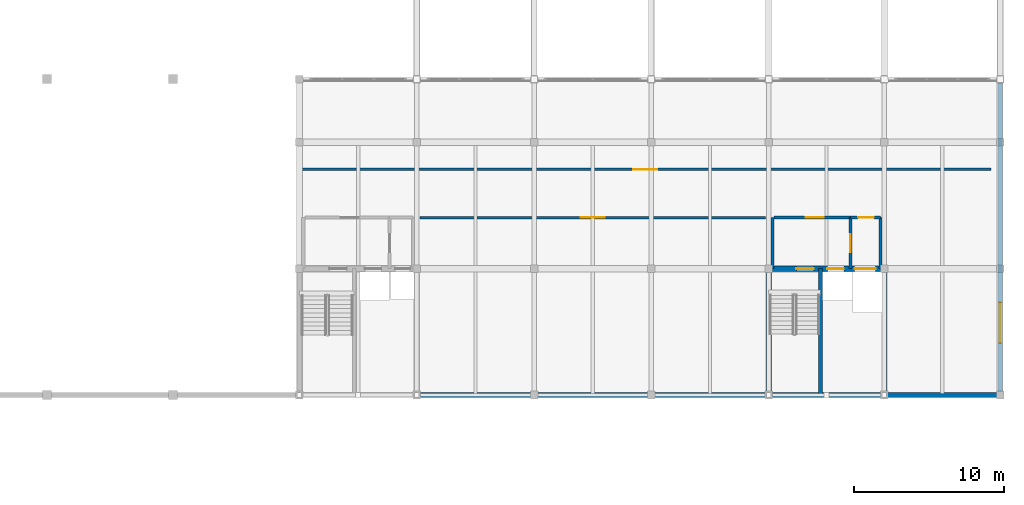
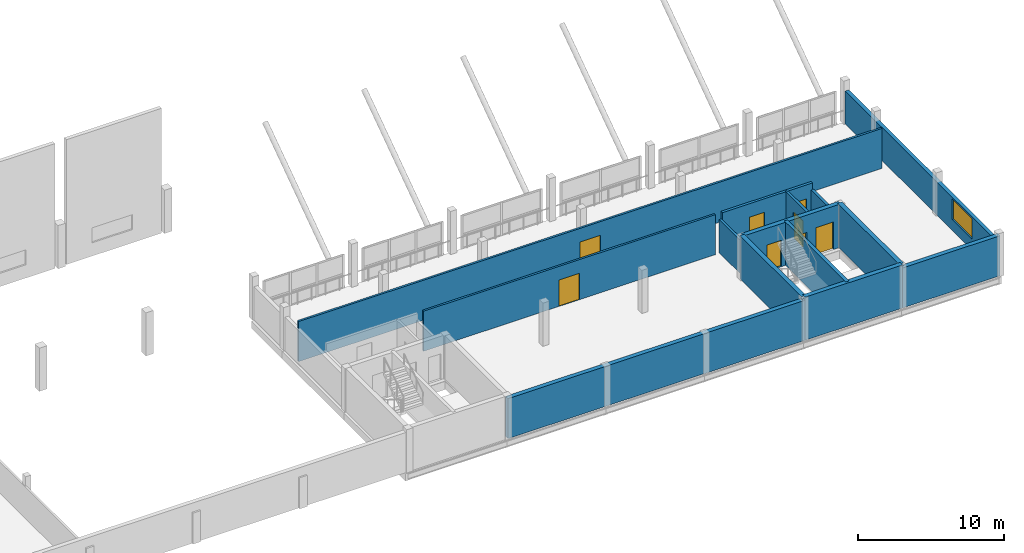
# One storey, part 42 of 51: 15 walls, 8 doors, 1 window, 9 openings.
"""IFC4 building model written with IfcOpenShell, lengths in metres."""

import ifcopenshell
import ifcopenshell.guid

model = None  # the IFC model being written
_history = None  # IfcOwnerHistory: only IFC2X3 demands one
_inside = {}  # id of a spatial element -> (the spatial element, [elements in it])
_under = {}  # id of a project, library or spatial element -> (it, [spatial elements below it])
_declared = {}  # id of a project -> (the project, [libraries it declares])
_typed = {}  # id of a type object -> (the type object, [elements of that type])
_made_of = {}  # id of a material, layer set ... -> (it, [elements and type objects made of it])


def new_model(schema):
    """Start an empty IFC model of exactly this schema.

    Asked for "IFC4X3", IfcOpenShell would pick the latest addendum, in which some entities
    have other attributes; the version numbers below select the first issue.
    IFC2X3 requires an IfcOwnerHistory on every rooted entity: one is made here for all.
    """
    global model, _history
    if schema == "IFC4X3":
        model = ifcopenshell.file(schema_version=(4, 3, 0, 0))
    else:
        model = ifcopenshell.file(schema=schema)
    _inside.clear()
    _under.clear()
    _declared.clear()
    _typed.clear()
    _made_of.clear()
    _history = None
    if model.schema == "IFC2X3":
        org = make("IfcOrganization", Name="unknown")
        user = make(
            "IfcPersonAndOrganization",
            ThePerson=make("IfcPerson", FamilyName="unknown"),
            TheOrganization=org,
        )
        app = make(
            "IfcApplication",
            ApplicationDeveloper=org,
            Version="unknown",
            ApplicationFullName="unknown",
            ApplicationIdentifier="unknown",
        )
        _history = make(
            "IfcOwnerHistory",
            OwningUser=user,
            OwningApplication=app,
            ChangeAction="ADDED",
            CreationDate=0,
        )
    return model


def make(cls, **values):
    """One entity of the class cls with the attributes given. An attribute that is None is left unset."""
    return model.create_entity(
        cls, **{name: value for name, value in values.items() if value is not None}
    )


def rooted(cls, **values):
    """An entity with a GlobalId (a new one), such as an element, a storey or a relation."""
    return make(cls, GlobalId=ifcopenshell.guid.new(), OwnerHistory=_history, **values)


def si_unit(unit_type, name, prefix=None):
    """IfcSIUnit, for example si_unit("LENGTHUNIT", "METRE", prefix="MILLI")."""
    return make("IfcSIUnit", UnitType=unit_type, Prefix=prefix, Name=name)


def assignment(units):
    """IfcUnitAssignment: the units of a project."""
    return None if units is None else make("IfcUnitAssignment", Units=units)


def point(xyz):
    """IfcCartesianPoint."""
    return None if xyz is None else make("IfcCartesianPoint", Coordinates=xyz)


def direction(xyz):
    """IfcDirection."""
    return None if xyz is None else make("IfcDirection", DirectionRatios=xyz)


def frame(location, z_axis=None, x_axis=None):
    """IfcAxis2Placement3D, a coordinate frame: its origin and axes. An axis left out is left unset."""
    return make(
        "IfcAxis2Placement3D",
        Location=point(location),
        Axis=direction(z_axis),
        RefDirection=direction(x_axis),
    )


def frame_2d(location, x_axis=None):
    """IfcAxis2Placement2D, a coordinate frame in the plane: its origin and x axis."""
    return make(
        "IfcAxis2Placement2D", Location=point(location), RefDirection=direction(x_axis)
    )


def origin():
    """The frame at (0, 0, 0) with its axes left unset."""
    return frame((0.0, 0.0, 0.0))


def place(relative_to, where):
    """IfcLocalPlacement: puts the frame where relative to a parent placement (None: the world)."""
    return make(
        "IfcLocalPlacement", PlacementRelTo=relative_to, RelativePlacement=where
    )


def context(
    kind, dimensions, precision=None, world=None, true_north=None, identifier=None
):
    """IfcGeometricRepresentationContext, for example the 3D "Model" context."""
    return make(
        "IfcGeometricRepresentationContext",
        ContextIdentifier=identifier,
        ContextType=kind,
        CoordinateSpaceDimension=dimensions,
        Precision=precision,
        WorldCoordinateSystem=world,
        TrueNorth=true_north,
    )


def subcontext(parent, identifier, kind, view, scale=None):
    """IfcGeometricRepresentationSubContext, for example "Body" below "Model"."""
    return make(
        "IfcGeometricRepresentationSubContext",
        ContextIdentifier=identifier,
        ContextType=kind,
        ParentContext=parent,
        TargetScale=scale,
        TargetView=view,
    )


def project(units=None, contexts=None):
    """IfcProject with its units and contexts."""
    return rooted(
        "IfcProject",
        Name="project",
        RepresentationContexts=contexts,
        UnitsInContext=assignment(units),
    )


def spatial(cls, under=None, at=None, **own):
    """A site, building, storey or space (cls), placed at a placement, below another one or the project."""
    s = rooted(cls, ObjectPlacement=at, **own)
    if under is not None:
        _under.setdefault(under.id(), (under, []))[1].append(s)
    return s


def profile(cls, at=None, kind="AREA", **sizes):
    """A parametric profile (cls). Its sizes go by their IFC names, for example OverallWidth=200.0."""
    return make(cls, ProfileType=kind, Position=at, **sizes)


def rectangle(**sizes):
    """IfcRectangleProfileDef."""
    return profile("IfcRectangleProfileDef", **sizes)


def extrude(swept, where, along, depth):
    """IfcExtrudedAreaSolid: the profile swept, set in the frame where, extruded along a direction by depth."""
    return make(
        "IfcExtrudedAreaSolid",
        SweptArea=swept,
        Position=where,
        ExtrudedDirection=direction(along),
        Depth=depth,
    )


def shape(context_of_items, identifier, shape_type, items):
    """IfcShapeRepresentation: the items that make up one representation, for example the "Body"."""
    return make(
        "IfcShapeRepresentation",
        ContextOfItems=context_of_items,
        RepresentationIdentifier=identifier,
        RepresentationType=shape_type,
        Items=items,
    )


def material(Name=None, Category=None):
    """IfcMaterial."""
    return make("IfcMaterial", Name=Name, Category=Category)


def layer(
    of_material, thickness, ventilated=None, Name=None, Category=None, Priority=None
):
    """IfcMaterialLayer: one layer of a wall or slab, of a material (None: an air gap)."""
    return make(
        "IfcMaterialLayer",
        Material=of_material,
        LayerThickness=thickness,
        IsVentilated=ventilated,
        Name=Name,
        Category=Category,
        Priority=Priority,
    )


def layer_set(layers, Name=None):
    """IfcMaterialLayerSet."""
    return make("IfcMaterialLayerSet", MaterialLayers=layers, LayerSetName=Name)


def made_of(thing, what):
    """Note that an element or type object is made of a material, layer set ...; save() writes the relation."""
    if what is not None:
        _made_of.setdefault(what.id(), (what, []))[1].append(thing)
    return thing


def type_object(cls, material=None, **own):
    """A type object (cls), such as IfcWallType, which elements share."""
    return made_of(rooted(cls, **own), material)


def element(
    cls,
    number,
    at=None,
    inside=None,
    cuts=None,
    type_object=None,
    material=None,
    context=None,
    identifier="Body",
    shape_type=None,
    held_by="IfcProductDefinitionShape",
    body=None,
    shapes=None,
    **own,
):
    """One element of the class cls, such as IfcWall. Its Tag is "e" and its number.

    at: its placement. inside: the storey or other place that contains it. cuts: it is an
    opening in that element (IfcRelVoidsElement). A single representation is given by context,
    identifier, shape_type and body (its items); several are given by shapes. held_by: the class
    of the entity that holds the representations. save() writes the other relations.
    """
    e = rooted(cls, Tag="e%d" % number, ObjectPlacement=at, **own)
    if body is not None:
        shapes = [shape(context, identifier, shape_type, body)]
    if shapes is not None:
        e.Representation = make(held_by, Representations=shapes)
    if inside is not None:
        _inside.setdefault(inside.id(), (inside, []))[1].append(e)
    if cuts is not None:
        rooted(
            "IfcRelVoidsElement", RelatingBuildingElement=cuts, RelatedOpeningElement=e
        )
    if type_object is not None:
        _typed.setdefault(type_object.id(), (type_object, []))[1].append(e)
    return made_of(e, material)


def fill(opening, filler):
    """IfcRelFillsElement: the door or window that sits in an opening."""
    return rooted(
        "IfcRelFillsElement",
        RelatingOpeningElement=opening,
        RelatedBuildingElement=filler,
    )


def aggregate(whole, parts):
    """IfcRelAggregates: a whole, such as a stair, and the parts it consists of."""
    return rooted("IfcRelAggregates", RelatingObject=whole, RelatedObjects=parts)


def save(model, path):
    """Write the relations noted so far, then the file.

    IfcRelAggregates (storeys below a building ...), IfcRelContainedInSpatialStructure (elements
    in a storey), IfcRelDefinesByType, IfcRelAssociatesMaterial and IfcRelDeclares: one each for
    every whole, place, type object, material and project.
    """
    for whole, parts in _under.values():
        aggregate(whole, parts)
    for where, things in _inside.values():
        rooted(
            "IfcRelContainedInSpatialStructure",
            RelatedElements=things,
            RelatingStructure=where,
        )
    for kind, things in _typed.values():
        rooted("IfcRelDefinesByType", RelatedObjects=things, RelatingType=kind)
    for what, things in _made_of.values():
        rooted("IfcRelAssociatesMaterial", RelatedObjects=things, RelatingMaterial=what)
    for by, libraries in _declared.values():
        rooted("IfcRelDeclares", RelatingContext=by, RelatedDefinitions=libraries)
    model.write(path)


model = new_model("IFC4")

# Units and contexts
model_context = context("Model", 3, precision=1e-05, world=origin(), true_north=direction((0.0, 1.0)))
body_context = subcontext(model_context, "Body", "Model", "MODEL_VIEW")
ifc_project = project(units=[si_unit("LENGTHUNIT", "METRE"), si_unit("AREAUNIT", "SQUARE_METRE"), si_unit("VOLUMEUNIT", "CUBIC_METRE"), si_unit("PLANEANGLEUNIT", "RADIAN"), si_unit("MASSUNIT", "GRAM", prefix="KILO")], contexts=[model_context])

# Site, building, storey
site_placement = place(None, origin())
site = spatial("IfcSite", under=ifc_project, at=site_placement, CompositionType="ELEMENT")
building_placement = place(site_placement, origin())
building = spatial("IfcBuilding", under=site, at=building_placement, Name="Vharandega Faculty of Natural Sciences", CompositionType="ELEMENT")
storey_placement = place(building_placement, frame((0.0, 0.0, 14.39990234375)))
storey = spatial("IfcBuildingStorey", under=building, at=storey_placement, Name="L03", CompositionType="ELEMENT", Elevation=14.39990234375)

# Walls
ifc_material_1 = material(Name="Concrete C40/50", Category="concrete")
ifc_layer_1 = layer(ifc_material_1, 0.35009765625, Name="Concrete C40/50")
ifc_layer_set_1 = layer_set([ifc_layer_1], Name="Concrete C40/50")
wall_type_1 = type_object("IfcWallType", Name="Core Shear Wall 350", PredefinedType="SHEAR", material=ifc_layer_set_1)
wall_1_placement = place(storey_placement, frame((146.0, 64.0, 0.0), z_axis=(0.0, 0.0, 1.0), x_axis=(1.0, 0.0, 0.0)))
element("IfcWall", 1, at=wall_1_placement, inside=storey, type_object=wall_type_1, Name="Interior Wall CW-C2-L03-S", PredefinedType="SHEAR", context=body_context, shape_type="SweptSolid", body=[
    extrude(rectangle(XDim=7.699951171875, YDim=0.35009765625, at=frame_2d((3.85009765625, 0.0))), origin(), (0.0, 0.0, 1.0), 3.60009765625),
])
for number, where, z_axis, x_axis, name in (
    (2, (146.0, 64.0, 0.0), (0.0, 0.0, 1.0), (0.0, 1.0, 0.0), "Interior Wall CW-C2-L03-W"),
    (3, (153.699951171875, 64.0, 0.0), (0.0, 0.0, 1.0), (0.0, 1.0, 0.0), "Interior Wall CW-C2-L03-E"),
):
    element("IfcWall", number, at=place(storey_placement, frame(where, z_axis=z_axis, x_axis=x_axis)), inside=storey, type_object=wall_type_1, Name=name, PredefinedType="SHEAR", context=body_context, shape_type="SweptSolid", body=[
        extrude(rectangle(XDim=8.39990234375, YDim=0.35009765625, at=frame_2d((4.199951171875, 0.0))), origin(), (0.0, 0.0, 1.0), 3.60009765625),
    ])

# Wall, openings, doors
wall_2_placement = place(storey_placement, frame((146.0, 72.39990234375, 0.0), z_axis=(0.0, 0.0, 1.0), x_axis=(1.0, 0.0, 0.0)))
wall_2 = element("IfcWall", 4, at=wall_2_placement, inside=storey, type_object=wall_type_1, Name="Interior Wall CW-C2-L03-N", PredefinedType="SHEAR", context=body_context, shape_type="SweptSolid", body=[
    extrude(rectangle(XDim=7.699951171875, YDim=0.35009765625, at=frame_2d((3.85009765625, 0.0))), origin(), (0.0, 0.0, 1.0), 3.60009765625),
])
opening_1_placement = place(wall_2_placement, frame((1.85009765625, 0.0, 0.0)))
opening_1 = element("IfcOpeningElement", 5, at=opening_1_placement, cuts=wall_2, Name="Opening FD1", PredefinedType="OPENING", context=body_context, shape_type="SweptSolid", body=[
    extrude(rectangle(XDim=1.14990234375, YDim=2.199951171875, at=frame_2d((0.574951171875, 1.10009765625))), frame((0.0, 0.18505859375, 0.0), z_axis=(0.0, -1.0, 0.0), x_axis=(1.0, 0.0, 0.0)), (0.0, 0.0, 1.0), 0.3701171875),
])
opening_2_placement = place(wall_2_placement, frame((3.89990234375, 0.0, 0.0)))
opening_2 = element("IfcOpeningElement", 6, at=opening_2_placement, cuts=wall_2, Name="Opening LD-FL2-L03", PredefinedType="OPENING", context=body_context, shape_type="SweptSolid", body=[
    extrude(rectangle(XDim=1.10009765625, YDim=2.14990234375, at=frame_2d((0.550048828125, 1.074951171875))), frame((0.0, 0.18505859375, 0.0), z_axis=(0.0, -1.0, 0.0), x_axis=(1.0, 0.0, 0.0)), (0.0, 0.0, 1.0), 0.3701171875),
])
opening_3_placement = place(wall_2_placement, frame((5.719970703125, 0.0, 0.0)))
opening_3 = element("IfcOpeningElement", 7, at=opening_3_placement, cuts=wall_2, Name="Opening LD-LG1-L03", PredefinedType="OPENING", context=body_context, shape_type="SweptSolid", body=[
    extrude(rectangle(XDim=1.39990234375, YDim=2.300048828125, at=frame_2d((0.699951171875, 1.14990234375))), frame((0.0, 0.18505859375, 0.0), z_axis=(0.0, -1.0, 0.0), x_axis=(1.0, 0.0, 0.0)), (0.0, 0.0, 1.0), 0.3701171875),
])
ifc_material_2 = material(Name="Solid-core hardwood timber fire door", Category="wood")
door_type_1 = type_object("IfcDoorType", Name="FD1-STAIR-1150x2200", OperationType="NOTDEFINED", PredefinedType="DOOR", material=ifc_material_2)
door_1_placement = place(opening_1_placement, origin())
door_1 = element("IfcDoor", 8, at=door_1_placement, inside=storey, type_object=door_type_1, Name="Stair ST2 Fire Door FD1", OperationType="SINGLE_SWING_LEFT", OverallHeight=2.199951171875, OverallWidth=1.14990234375, PredefinedType="DOOR", context=body_context, shape_type="SweptSolid", body=[
    extrude(rectangle(XDim=1.14990234375, YDim=2.199951171875, at=frame_2d((0.574951171875, 1.10009765625))), frame((0.0, 0.02490234375, 0.0), z_axis=(0.0, -1.0, 0.0), x_axis=(1.0, 0.0, 0.0)), (0.0, 0.0, 1.0), 0.050048828125),
])
fill(opening_1, door_1)
ifc_material_3 = material(Name="Brushed stainless steel sliding landing door", Category="steel")
door_type_2 = type_object("IfcDoorType", Name="LD1-FFLIFT-SLIDING-1100x2150", OperationType="DOUBLE_DOOR_SLIDING", PredefinedType="DOOR", material=ifc_material_3)
door_2_placement = place(opening_2_placement, origin())
door_2 = element("IfcDoor", 9, at=door_2_placement, inside=storey, type_object=door_type_2, Name="Lift Landing Door LD-FL2-L03", OperationType="DOUBLE_DOOR_SLIDING", OverallHeight=2.14990234375, OverallWidth=1.10009765625, PredefinedType="DOOR", context=body_context, shape_type="SweptSolid", body=[
    extrude(rectangle(XDim=1.10009765625, YDim=2.14990234375, at=frame_2d((0.550048828125, 1.074951171875))), frame((0.0, 0.02490234375, 0.0), z_axis=(0.0, -1.0, 0.0), x_axis=(1.0, 0.0, 0.0)), (0.0, 0.0, 1.0), 0.050048828125),
])
fill(opening_2, door_2)
ifc_material_4 = material(Name="Brushed stainless steel sliding landing door", Category="steel")
door_type_3 = type_object("IfcDoorType", Name="LD3-GOODSLIFT-SLIDING-1400x2300", OperationType="DOUBLE_DOOR_SLIDING", PredefinedType="DOOR", material=ifc_material_4)
door_3_placement = place(opening_3_placement, origin())
door_3 = element("IfcDoor", 10, at=door_3_placement, inside=storey, type_object=door_type_3, Name="Lift Landing Door LD-LG1-L03", OperationType="DOUBLE_DOOR_SLIDING", OverallHeight=2.300048828125, OverallWidth=1.39990234375, PredefinedType="DOOR", context=body_context, shape_type="SweptSolid", body=[
    extrude(rectangle(XDim=1.39990234375, YDim=2.300048828125, at=frame_2d((0.699951171875, 1.14990234375))), frame((0.0, 0.02490234375, 0.0), z_axis=(0.0, -1.0, 0.0), x_axis=(1.0, 0.0, 0.0)), (0.0, 0.0, 1.0), 0.050048828125),
])
fill(opening_3, door_3)

# Wall, opening, door
ifc_material_5 = material(Name="Concrete C40/50", Category="concrete")
ifc_layer_2 = layer(ifc_material_5, 0.199951171875, Name="Concrete C40/50")
ifc_layer_set_2 = layer_set([ifc_layer_2], Name="Concrete C40/50")
wall_type_2 = type_object("IfcWallType", Name="Firefighting Lobby Wall 200", PredefinedType="PARTITIONING", material=ifc_layer_set_2)
wall_3_placement = place(storey_placement, frame((146.35009765625, 75.800048828125, 0.0), z_axis=(0.0, 0.0, 1.0), x_axis=(1.0, 0.0, 0.0)))
wall_3 = element("IfcWall", 11, at=wall_3_placement, inside=storey, type_object=wall_type_2, Name="Interior Wall PW-FFL-C2-L03-N", PredefinedType="PARTITIONING", context=body_context, shape_type="SweptSolid", body=[
    extrude(rectangle(XDim=5.099853515625, YDim=0.199951171875, at=frame_2d((2.5498046875, 0.0))), origin(), (0.0, 0.0, 1.0), 3.320068359375),
])
opening_4_placement = place(wall_3_placement, frame((2.125, 0.0, 0.0)))
opening_4 = element("IfcOpeningElement", 12, at=opening_4_placement, cuts=wall_3, Name="Opening FD2", PredefinedType="OPENING", context=body_context, shape_type="SweptSolid", body=[
    extrude(rectangle(XDim=1.199951171875, YDim=2.199951171875, at=frame_2d((0.60009765625, 1.10009765625))), frame((0.0, 0.10986328125, 0.0), z_axis=(0.0, -1.0, 0.0), x_axis=(1.0, 0.0, 0.0)), (0.0, 0.0, 1.0), 0.219970703125),
])
ifc_material_6 = material(Name="Solid-core hardwood timber fire door", Category="wood")
door_type_4 = type_object("IfcDoorType", Name="FD2-FFLOBBY-1200x2200", OperationType="NOTDEFINED", PredefinedType="DOOR", material=ifc_material_6)
door_4_placement = place(opening_4_placement, origin())
door_4 = element("IfcDoor", 13, at=door_4_placement, inside=storey, type_object=door_type_4, Name="Firefighting Lobby C2 Door FD2", OperationType="SINGLE_SWING_LEFT", OverallHeight=2.199951171875, OverallWidth=1.199951171875, PredefinedType="DOOR", context=body_context, shape_type="SweptSolid", body=[
    extrude(rectangle(XDim=1.199951171875, YDim=2.199951171875, at=frame_2d((0.60009765625, 1.10009765625))), frame((0.0, 0.02490234375, 0.0), z_axis=(0.0, -1.0, 0.0), x_axis=(1.0, 0.0, 0.0)), (0.0, 0.0, 1.0), 0.050048828125),
])
fill(opening_4, door_4)

# Wall
wall_4_placement = place(storey_placement, frame((146.25, 72.39990234375, 0.0), z_axis=(0.0, 0.0, 1.0), x_axis=(0.0, 1.0, 0.0)))
element("IfcWall", 14, at=wall_4_placement, inside=storey, type_object=wall_type_2, Name="Interior Wall PW-FFL-C2-L03-W", PredefinedType="PARTITIONING", context=body_context, shape_type="SweptSolid", body=[
    extrude(rectangle(XDim=3.400146484375, YDim=0.199951171875, at=frame_2d((1.7001953125, 0.0))), origin(), (0.0, 0.0, 1.0), 2.760009765625),
])

# Wall, opening, door
wall_5_placement = place(storey_placement, frame((151.449951171875, 72.39990234375, 0.0), z_axis=(0.0, 0.0, 1.0), x_axis=(0.0, 1.0, 0.0)))
wall_5 = element("IfcWall", 15, at=wall_5_placement, inside=storey, type_object=wall_type_2, Name="Interior Wall PW-FFL-C2-L03-E", PredefinedType="PARTITIONING", context=body_context, shape_type="SweptSolid", body=[
    extrude(rectangle(XDim=3.400146484375, YDim=0.199951171875, at=frame_2d((1.7001953125, 0.0))), origin(), (0.0, 0.0, 1.0), 3.320068359375),
])
opening_5_placement = place(wall_5_placement, frame((1.10009765625, 0.0, 0.0)))
opening_5 = element("IfcOpeningElement", 16, at=opening_5_placement, cuts=wall_5, Name="Opening FD2", PredefinedType="OPENING", context=body_context, shape_type="SweptSolid", body=[
    extrude(rectangle(XDim=1.199951171875, YDim=2.199951171875, at=frame_2d((0.60009765625, 1.10009765625))), frame((0.0, 0.10986328125, 0.0), z_axis=(0.0, -1.0, 0.0), x_axis=(1.0, 0.0, 0.0)), (0.0, 0.0, 1.0), 0.219970703125),
])
door_5_placement = place(opening_5_placement, origin())
door_5 = element("IfcDoor", 17, at=door_5_placement, inside=storey, type_object=door_type_4, Name="Lobby Interconnect C2 Door FD2", OperationType="SINGLE_SWING_RIGHT", OverallHeight=2.199951171875, OverallWidth=1.199951171875, PredefinedType="DOOR", context=body_context, shape_type="SweptSolid", body=[
    extrude(rectangle(XDim=1.199951171875, YDim=2.199951171875, at=frame_2d((0.60009765625, 1.10009765625))), frame((0.0, 0.02490234375, 0.0), z_axis=(0.0, -1.0, 0.0), x_axis=(1.0, 0.0, 0.0)), (0.0, 0.0, 1.0), 0.050048828125),
])
fill(opening_5, door_5)

wall_6_placement = place(storey_placement, frame((151.449951171875, 75.800048828125, 0.0), z_axis=(0.0, 0.0, 1.0), x_axis=(1.0, 0.0, 0.0)))
wall_6 = element("IfcWall", 18, at=wall_6_placement, inside=storey, type_object=wall_type_2, Name="Interior Wall PW-LL-C2-L03-N", PredefinedType="PARTITIONING", context=body_context, shape_type="SweptSolid", body=[
    extrude(rectangle(XDim=2.0, YDim=0.199951171875, at=frame_2d((1.0, 0.0))), origin(), (0.0, 0.0, 1.0), 3.320068359375),
])
opening_6_placement = place(wall_6_placement, frame((0.5, 0.0, 0.0)))
opening_6 = element("IfcOpeningElement", 19, at=opening_6_placement, cuts=wall_6, Name="Opening FD4", PredefinedType="OPENING", context=body_context, shape_type="SweptSolid", body=[
    extrude(rectangle(XDim=1.050048828125, YDim=2.14990234375, at=frame_2d((0.52490234375, 1.074951171875))), frame((0.0, 0.10986328125, 0.0), z_axis=(0.0, -1.0, 0.0), x_axis=(1.0, 0.0, 0.0)), (0.0, 0.0, 1.0), 0.219970703125),
])
ifc_material_7 = material(Name="Solid-core hardwood timber fire door", Category="wood")
door_type_5 = type_object("IfcDoorType", Name="FD4-LAB-SGL-1050x2150", OperationType="NOTDEFINED", PredefinedType="DOOR", material=ifc_material_7)
door_6_placement = place(opening_6_placement, origin())
door_6 = element("IfcDoor", 20, at=door_6_placement, inside=storey, type_object=door_type_5, Name="Lift Lobby C2 Door FD4", OperationType="SINGLE_SWING_LEFT", OverallHeight=2.14990234375, OverallWidth=1.050048828125, PredefinedType="DOOR", context=body_context, shape_type="SweptSolid", body=[
    extrude(rectangle(XDim=1.050048828125, YDim=2.14990234375, at=frame_2d((0.52490234375, 1.074951171875))), frame((0.0, 0.02490234375, 0.0), z_axis=(0.0, -1.0, 0.0), x_axis=(1.0, 0.0, 0.0)), (0.0, 0.0, 1.0), 0.050048828125),
])
fill(opening_6, door_6)

# Walls
wall_7_placement = place(storey_placement, frame((153.449951171875, 72.39990234375, 0.0), z_axis=(0.0, 0.0, 1.0), x_axis=(0.0, 1.0, 0.0)))
element("IfcWall", 21, at=wall_7_placement, inside=storey, type_object=wall_type_2, Name="Interior Wall PW-LL-C2-L03-E", PredefinedType="PARTITIONING", context=body_context, shape_type="SweptSolid", body=[
    extrude(rectangle(XDim=3.400146484375, YDim=0.199951171875, at=frame_2d((1.7001953125, 0.0))), origin(), (0.0, 0.0, 1.0), 2.760009765625),
])
ifc_material_8 = material(Name="Granite ashlar masonry 25 MPa", Category="masonry")
ifc_layer_3 = layer(ifc_material_8, 0.340087890625, Name="Granite ashlar masonry 25 MPa")
ifc_layer_set_3 = layer_set([ifc_layer_3], Name="Granite ashlar masonry 25 MPa")
wall_type_3 = type_object("IfcWallType", Name="Imperforate Party Wall 340", PredefinedType="SOLIDWALL", material=ifc_layer_set_3)
wall_8_placement = place(storey_placement, frame((146.0, 64.0, 0.0), z_axis=(0.0, 0.0, 1.0), x_axis=(-1.0, 0.0, 0.0)))
element("IfcWall", 22, at=wall_8_placement, inside=storey, type_object=wall_type_3, Name="Exterior Wall EW-PTY-L03-J2A", PredefinedType="SOLIDWALL", context=body_context, shape_type="SweptSolid", body=[
    extrude(rectangle(XDim=23.39990234375, YDim=0.340087890625, at=frame_2d((11.699951171875, 0.0))), origin(), (0.0, 0.0, 1.0), 3.340087890625),
])
wall_9_placement = place(storey_placement, frame((161.39990234375, 64.0, 0.0), z_axis=(0.0, 0.0, 1.0), x_axis=(-1.0, 0.0, 0.0)))
element("IfcWall", 23, at=wall_9_placement, inside=storey, type_object=wall_type_3, Name="Exterior Wall EW-PTY-L03-J2B", PredefinedType="SOLIDWALL", context=body_context, shape_type="SweptSolid", body=[
    extrude(rectangle(XDim=7.699951171875, YDim=0.340087890625, at=frame_2d((3.85009765625, 0.0))), origin(), (0.0, 0.0, 1.0), 3.340087890625),
])

# Wall, opening, door
ifc_material_9 = material(Name="Gypsum fire-board on steel stud", Category="steel")
ifc_layer_4 = layer(ifc_material_9, 0.159912109375, Name="Gypsum fire-board on steel stud")
ifc_layer_set_4 = layer_set([ifc_layer_4], Name="Gypsum fire-board on steel stud")
wall_type_4 = type_object("IfcWallType", Name="Laboratory Fire Corridor Wall 160", PredefinedType="PARTITIONING", material=ifc_layer_set_4)
wall_10_placement = place(storey_placement, frame((122.800048828125, 75.800048828125, 0.0), z_axis=(0.0, 0.0, 1.0), x_axis=(1.0, 0.0, 0.0)))
wall_10 = element("IfcWall", 24, at=wall_10_placement, inside=storey, type_object=wall_type_4, Name="Interior Wall PW-L03-R15N", PredefinedType="PARTITIONING", context=body_context, shape_type="SweptSolid", body=[
    extrude(rectangle(XDim=23.0, YDim=0.159912109375, at=frame_2d((11.5, 0.0))), origin(), (0.0, 0.0, 1.0), 3.340087890625),
])
opening_7_placement = place(wall_10_placement, frame((10.699951171875, 0.0, 0.0)))
opening_7 = element("IfcOpeningElement", 25, at=opening_7_placement, cuts=wall_10, Name="Opening FD3", PredefinedType="OPENING", context=body_context, shape_type="SweptSolid", body=[
    extrude(rectangle(XDim=1.60009765625, YDim=2.199951171875, at=frame_2d((0.800048828125, 1.10009765625))), frame((0.0, 0.08984375, 0.0), z_axis=(0.0, -1.0, 0.0), x_axis=(1.0, 0.0, 0.0)), (0.0, 0.0, 1.0), 0.179931640625),
])
ifc_material_10 = material(Name="Solid-core hardwood timber fire door", Category="wood")
door_type_6 = type_object("IfcDoorType", Name="FD3-LAB-DBL-1600x2200", OperationType="DOUBLE_DOOR_SINGLE_SWING", PredefinedType="DOOR", material=ifc_material_10)
door_7_placement = place(opening_7_placement, origin())
door_7 = element("IfcDoor", 26, at=door_7_placement, inside=storey, type_object=door_type_6, Name="Undergraduate Biochemistry Teaching Laboratory Door FD3", OperationType="DOUBLE_DOOR_SINGLE_SWING", OverallHeight=2.199951171875, OverallWidth=1.60009765625, PredefinedType="DOOR", context=body_context, shape_type="SweptSolid", body=[
    extrude(rectangle(XDim=1.60009765625, YDim=2.199951171875, at=frame_2d((0.800048828125, 1.10009765625))), frame((0.0, 0.02490234375, 0.0), z_axis=(0.0, -1.0, 0.0), x_axis=(1.0, 0.0, 0.0)), (0.0, 0.0, 1.0), 0.050048828125),
])
fill(opening_7, door_7)

wall_11_placement = place(storey_placement, frame((114.800048828125, 79.0, 0.0), z_axis=(0.0, 0.0, 1.0), x_axis=(1.0, 0.0, 0.0)))
wall_11 = element("IfcWall", 27, at=wall_11_placement, inside=storey, type_object=wall_type_4, Name="Interior Wall PW-L03-R16S", PredefinedType="PARTITIONING", context=body_context, shape_type="SweptSolid", body=[
    extrude(rectangle(XDim=46.0, YDim=0.159912109375, at=frame_2d((23.0, 0.0))), origin(), (0.0, 0.0, 1.0), 3.340087890625),
])
opening_8_placement = place(wall_11_placement, frame((22.199951171875, 0.0, 0.0)))
opening_8 = element("IfcOpeningElement", 28, at=opening_8_placement, cuts=wall_11, Name="Opening FD3", PredefinedType="OPENING", context=body_context, shape_type="SweptSolid", body=[
    extrude(rectangle(XDim=1.60009765625, YDim=2.199951171875, at=frame_2d((0.800048828125, 1.10009765625))), frame((0.0, 0.08984375, 0.0), z_axis=(0.0, -1.0, 0.0), x_axis=(1.0, 0.0, 0.0)), (0.0, 0.0, 1.0), 0.179931640625),
])
door_8_placement = place(opening_8_placement, origin())
door_8 = element("IfcDoor", 29, at=door_8_placement, inside=storey, type_object=door_type_6, Name="Analytical Instrumentation Teaching Suite Door FD3", OperationType="DOUBLE_DOOR_SINGLE_SWING", OverallHeight=2.199951171875, OverallWidth=1.60009765625, PredefinedType="DOOR", context=body_context, shape_type="SweptSolid", body=[
    extrude(rectangle(XDim=1.60009765625, YDim=2.199951171875, at=frame_2d((0.800048828125, 1.10009765625))), frame((0.0, 0.02490234375, 0.0), z_axis=(0.0, -1.0, 0.0), x_axis=(1.0, 0.0, 0.0)), (0.0, 0.0, 1.0), 0.050048828125),
])
fill(opening_8, door_8)

# Wall
ifc_material_11 = material(Name="Concrete C40/50", Category="concrete")
ifc_layer_5 = layer(ifc_material_11, 0.260009765625, Name="Concrete C40/50")
ifc_layer_set_5 = layer_set([ifc_layer_5], Name="Concrete C40/50")
wall_type_5 = type_object("IfcWallType", Name="Lift Shaft Shear Wall 260", PredefinedType="SHEAR", material=ifc_layer_set_5)
wall_12_placement = place(storey_placement, frame((149.4599609375, 64.0, 0.0), z_axis=(0.0, 0.0, 1.0), x_axis=(0.0, 1.0, 0.0)))
element("IfcWall", 30, at=wall_12_placement, inside=storey, type_object=wall_type_5, Name="Interior Wall CW-C2-L03-DIV", PredefinedType="SHEAR", context=body_context, shape_type="SweptSolid", body=[
    extrude(rectangle(XDim=8.39990234375, YDim=0.260009765625, at=frame_2d((4.199951171875, 0.0))), origin(), (0.0, 0.0, 1.0), 3.60009765625),
])

# Wall, opening, window
ifc_material_12 = material(Name="Precast concrete C40/50", Category="concrete")
ifc_layer_6 = layer(ifc_material_12, 0.280029296875, Name="Precast concrete C40/50")
ifc_layer_set_6 = layer_set([ifc_layer_6], Name="Precast concrete C40/50")
wall_type_6 = type_object("IfcWallType", Name="White Precast End Wall 280", PredefinedType="SOLIDWALL", material=ifc_layer_set_6)
wall_13_placement = place(storey_placement, frame((161.39990234375, 84.751953125, 0.0), z_axis=(0.0, 0.0, 1.0), x_axis=(0.0, -1.0, 0.0)))
wall_13 = element("IfcWall", 31, at=wall_13_placement, inside=storey, type_object=wall_type_6, Name="Exterior Wall EW-L03-V4E", PredefinedType="SOLIDWALL", context=body_context, shape_type="SweptSolid", body=[
    extrude(rectangle(XDim=20.50390625, YDim=0.280029296875, at=frame_2d((10.251953125, 0.0))), origin(), (0.0, 0.0, 1.0), 2.760009765625),
])
opening_9_placement = place(wall_13_placement, frame((14.60205078125, 0.0, 0.89990234375)))
opening_9 = element("IfcOpeningElement", 32, at=opening_9_placement, cuts=wall_13, Name="Opening WN-26", PredefinedType="OPENING", context=body_context, shape_type="SweptSolid", body=[
    extrude(rectangle(XDim=2.699951171875, YDim=1.699951171875, at=frame_2d((1.35009765625, 0.85009765625))), frame((0.0, 0.14990234375, 0.0), z_axis=(0.0, -1.0, 0.0), x_axis=(1.0, 0.0, 0.0)), (0.0, 0.0, 1.0), 0.300048828125),
])
ifc_material_13 = material(Name="Double-glazed solar-control glass in thermally broken aluminium frame", Category="aluminium")
window_type = type_object("IfcWindowType", Name="WIN-SEM-270x170", PartitioningType="DOUBLE_PANEL_VERTICAL", PredefinedType="WINDOW", material=ifc_material_13)
window_placement = place(opening_9_placement, origin())
window = element("IfcWindow", 33, at=window_placement, inside=storey, type_object=window_type, Name="Window WIN-L03-0007", OverallHeight=1.699951171875, OverallWidth=2.699951171875, PartitioningType="SINGLE_PANEL", PredefinedType="WINDOW", context=body_context, shape_type="SweptSolid", body=[
    extrude(rectangle(XDim=2.699951171875, YDim=1.699951171875, at=frame_2d((1.35009765625, 0.85009765625))), frame((0.0, 0.030029296875, 0.0), z_axis=(0.0, -1.0, 0.0), x_axis=(1.0, 0.0, 0.0)), (0.0, 0.0, 1.0), 0.06005859375),
])
fill(opening_9, window)

save(model, "model.ifc")
